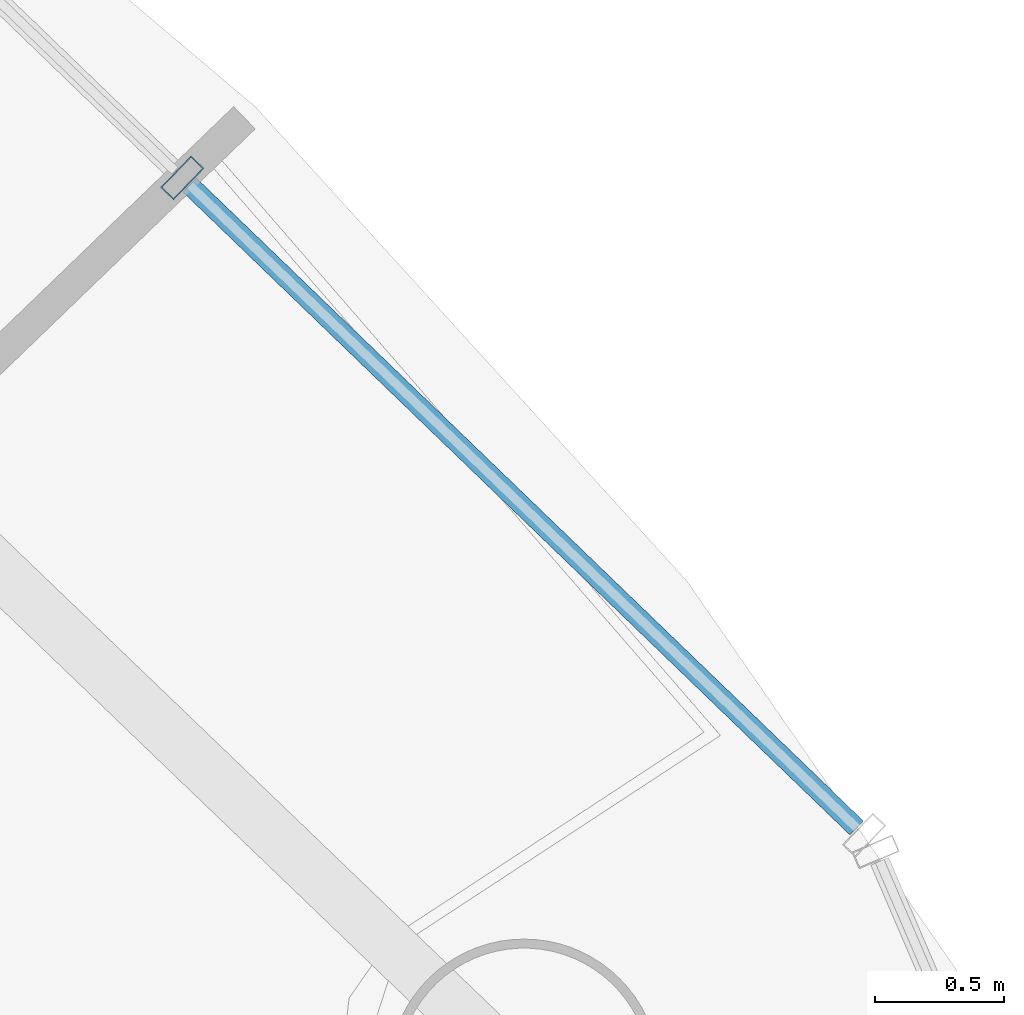
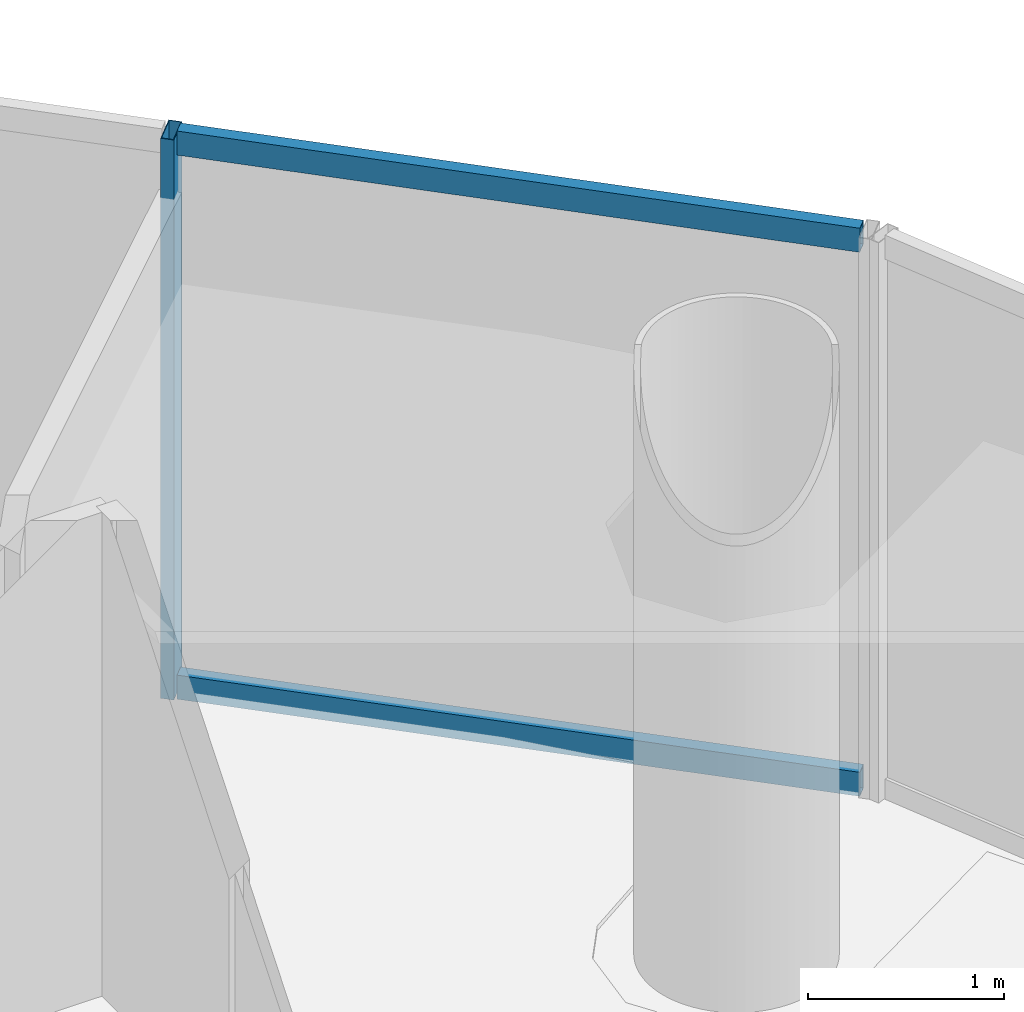
# One storey, part 12 of 23: 3 members, 1 element without a shape of its own.
"""IFC4 building model written with IfcOpenShell, lengths in metres."""

from ifc_helpers import new_model, si_unit, direction, frame, origin, origin_2d, place, context, subcontext, project, spatial, hollow_rectangle, extrude, source, transform, mapped, material, material_profile, profile_set, type_object, element, aggregate, save


model = new_model("IFC4")

# Units and contexts
model_context = context("Model", 3, precision=1e-05, world=origin(), true_north=direction((-0.2419218956, 0.970295726276)))
body_context = subcontext(model_context, "Body", "Model", "MODEL_VIEW")
ifc_project = project(units=[si_unit("LENGTHUNIT", "METRE"), si_unit("AREAUNIT", "SQUARE_METRE"), si_unit("VOLUMEUNIT", "CUBIC_METRE"), si_unit("PLANEANGLEUNIT", "RADIAN"), si_unit("MASSUNIT", "GRAM", prefix="KILO")], contexts=[model_context])

# Site, building, storey
site_placement = place(None, origin())
site = spatial("IfcSite", under=ifc_project, at=site_placement, CompositionType="ELEMENT")
building_placement = place(site_placement, origin())
building = spatial("IfcBuilding", under=site, at=building_placement, Name="Cobrevalo Terracotta Tower", CompositionType="ELEMENT")
storey_placement = place(building_placement, frame((0.0, 0.0, 259.449951171875)))
storey = spatial("IfcBuildingStorey", under=building, at=storey_placement, Name="L68", CompositionType="ELEMENT", Elevation=259.449951171875)

# Curtain wall, members
ifc_material = material(Name="Anodized aluminium", Category="aluminium")
curtain_wall_type = type_object("IfcCurtainWallType", Name="Upper-tower triple-glazed penthouse curtain wall CW-U3", PredefinedType="NOTDEFINED", material=ifc_material)
curtain_wall_placement = place(storey_placement, origin())
curtain_wall = element("IfcCurtainWall", 1, at=curtain_wall_placement, inside=storey, type_object=curtain_wall_type, Name="L68 curtain wall CW-L68-S02", PredefinedType="NOTDEFINED")
ifc_material_profile_1 = material_profile(ifc_material, hollow_rectangle(XDim=0.070068359375, YDim=0.169921875, WallThickness=0.00439453125, at=origin_2d()), Name="CWM 70x170")
ifc_profile_set_1 = profile_set([ifc_material_profile_1], Name="Anodized aluminium")
member_type_1 = type_object("IfcMemberType", Name="Upper tower unitised mullion 70x170", PredefinedType="MULLION", material=ifc_profile_set_1)
shared_shape_1 = source(origin(), body_context, "Body", "SweptSolid", [
    extrude(hollow_rectangle(XDim=0.070068359375, YDim=0.169921875, WallThickness=0.00439453125, at=origin_2d()), origin(), (0.0, 0.0, 1.0), 3.489990234375),
])
member_1_placement = place(storey_placement, frame((51.43359375, 39.748046875, 0.0), z_axis=(0.0, 0.0, 1.0), x_axis=(-0.71999418085, 0.69398010025, 0.0)))
member_1 = element("IfcMember", 2, at=member_1_placement, type_object=member_type_1, Name="CW-L68-S02 vertical mullion 02", PredefinedType="MULLION", context=body_context, shape_type="MappedRepresentation", body=[
    mapped(shared_shape_1, transform((0.0, 0.0, 0.0), scale=1.0)),
])
ifc_material_profile_2 = material_profile(ifc_material, hollow_rectangle(XDim=0.074951171875, YDim=0.14990234375, WallThickness=0.00439453125, at=origin_2d()), Name="CWT 75x150")
ifc_profile_set_2 = profile_set([ifc_material_profile_2], Name="Anodized aluminium")
member_type_2 = type_object("IfcMemberType", Name="Tower unitised aluminium transom 75x150", PredefinedType="USERDEFINED", material=ifc_profile_set_2)
shared_shape_2 = source(origin(), body_context, "Body", "SweptSolid", [
    extrude(hollow_rectangle(XDim=0.074951171875, YDim=0.14990234375, WallThickness=0.00439453125, at=origin_2d()), origin(), (0.0, 0.0, 1.0), 3.59130859375),
])
member_2_placement = place(storey_placement, frame((54.0478515625, 37.22802734375, 0.050048828125), z_axis=(-0.720005628362, 0.693968223427, 0.0), x_axis=(-0.693968223427, -0.720005628362, 0.0)))
member_2 = element("IfcMember", 3, at=member_2_placement, type_object=member_type_2, Name="CW-L68-S02 transom B01-T1", ObjectType="TRANSOM", PredefinedType="USERDEFINED", context=body_context, shape_type="MappedRepresentation", body=[
    mapped(shared_shape_2, transform((0.0, 0.0, 0.0), scale=1.0)),
])
member_3_placement = place(storey_placement, frame((54.0478515625, 37.22802734375, 3.43994140625), z_axis=(-0.720005628362, 0.693968223427, 0.0), x_axis=(-0.693968223427, -0.720005628362, 0.0)))
member_3 = element("IfcMember", 4, at=member_3_placement, type_object=member_type_2, Name="CW-L68-S02 transom B01-T2", ObjectType="TRANSOM", PredefinedType="USERDEFINED", context=body_context, shape_type="MappedRepresentation", body=[
    mapped(shared_shape_2, transform((0.0, 0.0, 0.0), scale=1.0)),
])
aggregate(curtain_wall, [member_1, member_2, member_3])

save(model, "model.ifc")
